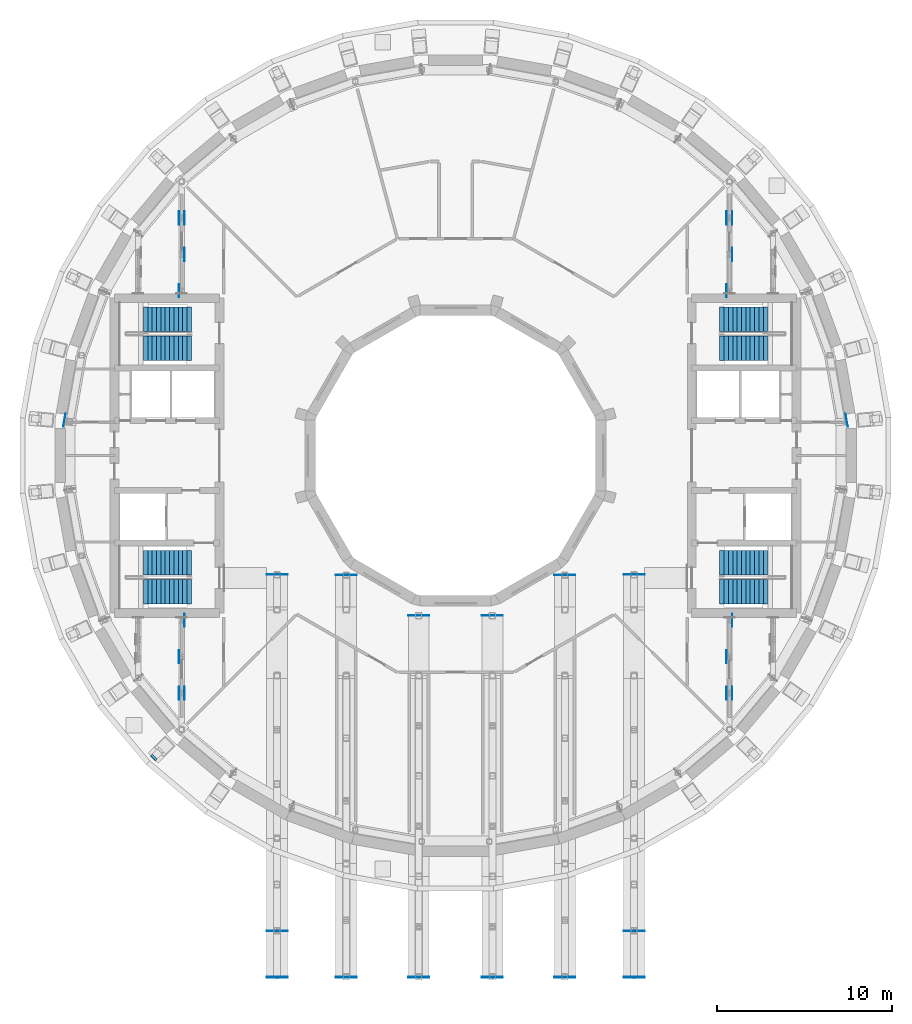
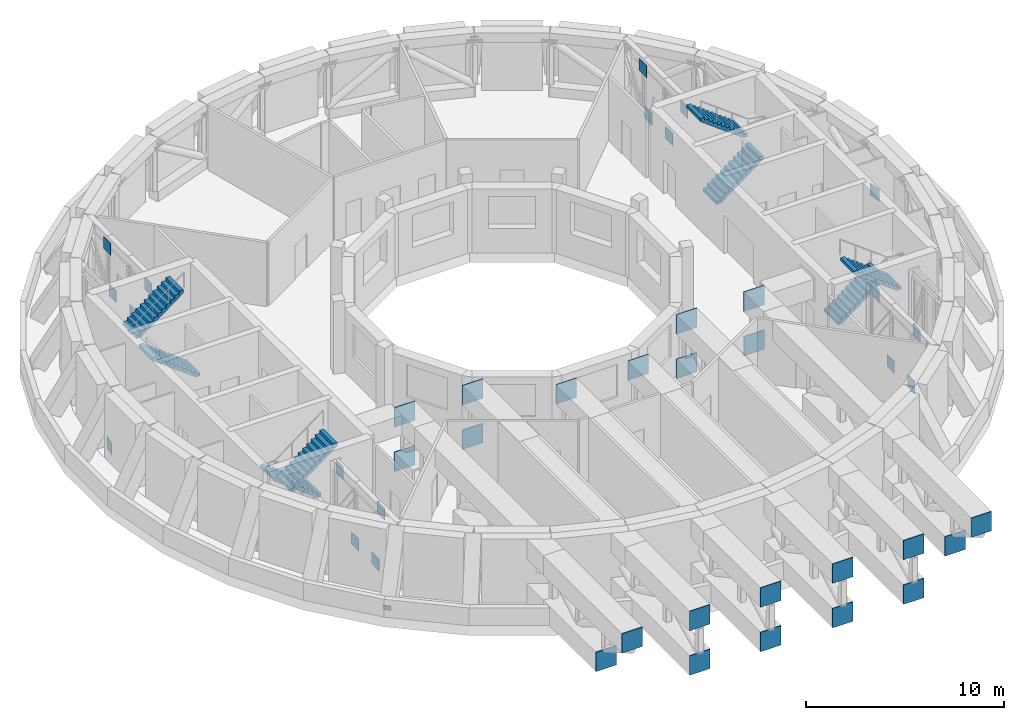
# One storey, part 16 of 20: 41 discrete accessories, 8 stair flights, 4 elements without a shape of their own.
"""IFC4 building model written with IfcOpenShell, lengths in metres."""

import ifcopenshell
import ifcopenshell.guid

model = None  # the IFC model being written
_history = None  # IfcOwnerHistory: only IFC2X3 demands one
_inside = {}  # id of a spatial element -> (the spatial element, [elements in it])
_under = {}  # id of a project, library or spatial element -> (it, [spatial elements below it])
_declared = {}  # id of a project -> (the project, [libraries it declares])
_typed = {}  # id of a type object -> (the type object, [elements of that type])
_made_of = {}  # id of a material, layer set ... -> (it, [elements and type objects made of it])


def new_model(schema):
    """Start an empty IFC model of exactly this schema.

    Asked for "IFC4X3", IfcOpenShell would pick the latest addendum, in which some entities
    have other attributes; the version numbers below select the first issue.
    IFC2X3 requires an IfcOwnerHistory on every rooted entity: one is made here for all.
    """
    global model, _history
    if schema == "IFC4X3":
        model = ifcopenshell.file(schema_version=(4, 3, 0, 0))
    else:
        model = ifcopenshell.file(schema=schema)
    _inside.clear()
    _under.clear()
    _declared.clear()
    _typed.clear()
    _made_of.clear()
    _history = None
    if model.schema == "IFC2X3":
        org = make("IfcOrganization", Name="unknown")
        user = make(
            "IfcPersonAndOrganization",
            ThePerson=make("IfcPerson", FamilyName="unknown"),
            TheOrganization=org,
        )
        app = make(
            "IfcApplication",
            ApplicationDeveloper=org,
            Version="unknown",
            ApplicationFullName="unknown",
            ApplicationIdentifier="unknown",
        )
        _history = make(
            "IfcOwnerHistory",
            OwningUser=user,
            OwningApplication=app,
            ChangeAction="ADDED",
            CreationDate=0,
        )
    return model


def make(cls, **values):
    """One entity of the class cls with the attributes given. An attribute that is None is left unset."""
    return model.create_entity(
        cls, **{name: value for name, value in values.items() if value is not None}
    )


def rooted(cls, **values):
    """An entity with a GlobalId (a new one), such as an element, a storey or a relation."""
    return make(cls, GlobalId=ifcopenshell.guid.new(), OwnerHistory=_history, **values)


def si_unit(unit_type, name, prefix=None):
    """IfcSIUnit, for example si_unit("LENGTHUNIT", "METRE", prefix="MILLI")."""
    return make("IfcSIUnit", UnitType=unit_type, Prefix=prefix, Name=name)


def assignment(units):
    """IfcUnitAssignment: the units of a project."""
    return None if units is None else make("IfcUnitAssignment", Units=units)


def point(xyz):
    """IfcCartesianPoint."""
    return None if xyz is None else make("IfcCartesianPoint", Coordinates=xyz)


def direction(xyz):
    """IfcDirection."""
    return None if xyz is None else make("IfcDirection", DirectionRatios=xyz)


def frame(location, z_axis=None, x_axis=None):
    """IfcAxis2Placement3D, a coordinate frame: its origin and axes. An axis left out is left unset."""
    return make(
        "IfcAxis2Placement3D",
        Location=point(location),
        Axis=direction(z_axis),
        RefDirection=direction(x_axis),
    )


def frame_2d(location, x_axis=None):
    """IfcAxis2Placement2D, a coordinate frame in the plane: its origin and x axis."""
    return make(
        "IfcAxis2Placement2D", Location=point(location), RefDirection=direction(x_axis)
    )


def origin():
    """The frame at (0, 0, 0) with its axes left unset."""
    return frame((0.0, 0.0, 0.0))


def origin_2d():
    """The frame at (0, 0) in the plane with its x axis left unset."""
    return frame_2d((0.0, 0.0))


def place(relative_to, where):
    """IfcLocalPlacement: puts the frame where relative to a parent placement (None: the world)."""
    return make(
        "IfcLocalPlacement", PlacementRelTo=relative_to, RelativePlacement=where
    )


def context(
    kind, dimensions, precision=None, world=None, true_north=None, identifier=None
):
    """IfcGeometricRepresentationContext, for example the 3D "Model" context."""
    return make(
        "IfcGeometricRepresentationContext",
        ContextIdentifier=identifier,
        ContextType=kind,
        CoordinateSpaceDimension=dimensions,
        Precision=precision,
        WorldCoordinateSystem=world,
        TrueNorth=true_north,
    )


def subcontext(parent, identifier, kind, view, scale=None):
    """IfcGeometricRepresentationSubContext, for example "Body" below "Model"."""
    return make(
        "IfcGeometricRepresentationSubContext",
        ContextIdentifier=identifier,
        ContextType=kind,
        ParentContext=parent,
        TargetScale=scale,
        TargetView=view,
    )


def project(units=None, contexts=None):
    """IfcProject with its units and contexts."""
    return rooted(
        "IfcProject",
        Name="project",
        RepresentationContexts=contexts,
        UnitsInContext=assignment(units),
    )


def spatial(cls, under=None, at=None, **own):
    """A site, building, storey or space (cls), placed at a placement, below another one or the project."""
    s = rooted(cls, ObjectPlacement=at, **own)
    if under is not None:
        _under.setdefault(under.id(), (under, []))[1].append(s)
    return s


def polyline(points):
    """IfcPolyline through the points."""
    return make("IfcPolyline", Points=[point(p) for p in points])


def profile(cls, at=None, kind="AREA", **sizes):
    """A parametric profile (cls). Its sizes go by their IFC names, for example OverallWidth=200.0."""
    return make(cls, ProfileType=kind, Position=at, **sizes)


def rectangle(**sizes):
    """IfcRectangleProfileDef."""
    return profile("IfcRectangleProfileDef", **sizes)


def outline(outer, holes=None, kind="AREA"):
    """IfcArbitraryClosedProfileDef: a profile drawn as a closed curve; with holes, ...WithVoids."""
    if holes is None:
        return make("IfcArbitraryClosedProfileDef", ProfileType=kind, OuterCurve=outer)
    return make(
        "IfcArbitraryProfileDefWithVoids",
        ProfileType=kind,
        OuterCurve=outer,
        InnerCurves=holes,
    )


def extrude(swept, where, along, depth):
    """IfcExtrudedAreaSolid: the profile swept, set in the frame where, extruded along a direction by depth."""
    return make(
        "IfcExtrudedAreaSolid",
        SweptArea=swept,
        Position=where,
        ExtrudedDirection=direction(along),
        Depth=depth,
    )


def shape(context_of_items, identifier, shape_type, items):
    """IfcShapeRepresentation: the items that make up one representation, for example the "Body"."""
    return make(
        "IfcShapeRepresentation",
        ContextOfItems=context_of_items,
        RepresentationIdentifier=identifier,
        RepresentationType=shape_type,
        Items=items,
    )


def material(Name=None, Category=None):
    """IfcMaterial."""
    return make("IfcMaterial", Name=Name, Category=Category)


def material_profile(
    of_material, cross_section, Name=None, Category=None, Priority=None
):
    """IfcMaterialProfile: a cross section and its material."""
    return make(
        "IfcMaterialProfile",
        Name=Name,
        Material=of_material,
        Profile=cross_section,
        Priority=Priority,
        Category=Category,
    )


def profile_set(profiles, Name=None, composite=None):
    """IfcMaterialProfileSet."""
    return make(
        "IfcMaterialProfileSet",
        Name=Name,
        MaterialProfiles=profiles,
        CompositeProfile=composite,
    )


def made_of(thing, what):
    """Note that an element or type object is made of a material, layer set ...; save() writes the relation."""
    if what is not None:
        _made_of.setdefault(what.id(), (what, []))[1].append(thing)
    return thing


def type_object(cls, material=None, **own):
    """A type object (cls), such as IfcWallType, which elements share."""
    return made_of(rooted(cls, **own), material)


def element(
    cls,
    number,
    at=None,
    inside=None,
    cuts=None,
    type_object=None,
    material=None,
    context=None,
    identifier="Body",
    shape_type=None,
    held_by="IfcProductDefinitionShape",
    body=None,
    shapes=None,
    **own,
):
    """One element of the class cls, such as IfcWall. Its Tag is "e" and its number.

    at: its placement. inside: the storey or other place that contains it. cuts: it is an
    opening in that element (IfcRelVoidsElement). A single representation is given by context,
    identifier, shape_type and body (its items); several are given by shapes. held_by: the class
    of the entity that holds the representations. save() writes the other relations.
    """
    e = rooted(cls, Tag="e%d" % number, ObjectPlacement=at, **own)
    if body is not None:
        shapes = [shape(context, identifier, shape_type, body)]
    if shapes is not None:
        e.Representation = make(held_by, Representations=shapes)
    if inside is not None:
        _inside.setdefault(inside.id(), (inside, []))[1].append(e)
    if cuts is not None:
        rooted(
            "IfcRelVoidsElement", RelatingBuildingElement=cuts, RelatedOpeningElement=e
        )
    if type_object is not None:
        _typed.setdefault(type_object.id(), (type_object, []))[1].append(e)
    return made_of(e, material)


def aggregate(whole, parts):
    """IfcRelAggregates: a whole, such as a stair, and the parts it consists of."""
    return rooted("IfcRelAggregates", RelatingObject=whole, RelatedObjects=parts)


def save(model, path):
    """Write the relations noted so far, then the file.

    IfcRelAggregates (storeys below a building ...), IfcRelContainedInSpatialStructure (elements
    in a storey), IfcRelDefinesByType, IfcRelAssociatesMaterial and IfcRelDeclares: one each for
    every whole, place, type object, material and project.
    """
    for whole, parts in _under.values():
        aggregate(whole, parts)
    for where, things in _inside.values():
        rooted(
            "IfcRelContainedInSpatialStructure",
            RelatedElements=things,
            RelatingStructure=where,
        )
    for kind, things in _typed.values():
        rooted("IfcRelDefinesByType", RelatedObjects=things, RelatingType=kind)
    for what, things in _made_of.values():
        rooted("IfcRelAssociatesMaterial", RelatedObjects=things, RelatingMaterial=what)
    for by, libraries in _declared.values():
        rooted("IfcRelDeclares", RelatingContext=by, RelatedDefinitions=libraries)
    model.write(path)


model = new_model("IFC4")

# Units and contexts
model_context = context("Model", 3, precision=1e-05, world=origin(), true_north=direction((0.0, 1.0)))
body_context = subcontext(model_context, "Body", "Model", "MODEL_VIEW")
ifc_project = project(units=[si_unit("LENGTHUNIT", "METRE"), si_unit("AREAUNIT", "SQUARE_METRE"), si_unit("VOLUMEUNIT", "CUBIC_METRE"), si_unit("PLANEANGLEUNIT", "RADIAN"), si_unit("MASSUNIT", "GRAM", prefix="KILO")], contexts=[model_context])

# Site, building, storey
site_placement = place(None, origin())
site = spatial("IfcSite", under=ifc_project, at=site_placement, CompositionType="ELEMENT")
building_placement = place(site_placement, origin())
building = spatial("IfcBuilding", under=site, at=building_placement, Name="Saqina Gate Tower", CompositionType="ELEMENT")
storey_placement = place(building_placement, frame((0.0, 0.0, 220.199951171875)))
storey = spatial("IfcBuildingStorey", under=building, at=storey_placement, Name="L63", CompositionType="ELEMENT", Elevation=220.199951171875)

# Stair, stair flights
ifc_material_1 = material(Name="Concrete C40/50", Category="concrete")
stair_type = type_object("IfcStairType", Name="EXIT STAIR", PredefinedType="HALF_TURN_STAIR", material=ifc_material_1)
stair_1_placement = place(storey_placement, origin())
stair_1 = element("IfcStair", 1, at=stair_1_placement, inside=storey, type_object=stair_type, Name="EXIT STAIR 1", PredefinedType="HALF_TURN_STAIR")
ifc_material_2 = material(Name="Concrete C40/50", Category="concrete")
stair_flight_type = type_object("IfcStairFlightType", Name="EXIT STAIR FLIGHT", PredefinedType="STRAIGHT", material=ifc_material_2)
stair_flight_1_placement = place(storey_placement, frame((15.10009765625, 6.13330078125, 0.0), z_axis=(0.0, 0.0, 1.0), x_axis=(1.0, 0.0, 0.0)))
stair_flight_1 = element("IfcStairFlight", 2, at=stair_flight_1_placement, type_object=stair_flight_type, Name="EXIT STAIR 1 FLIGHT 1", NumberOfRisers=12, NumberOfTreads=11, PredefinedType="STRAIGHT", RiserHeight=0.1875, TreadLength=0.25, context=body_context, shape_type="SweptSolid", body=[
    extrude(outline(polyline([(0.0, 0.0), (0.0, 0.1875), (0.25, 0.1875), (0.25, 0.375), (0.5, 0.375), (0.5, 0.5625), (0.75, 0.5625), (0.75, 0.75), (1.0, 0.75), (1.0, 0.9375), (1.25, 0.9375), (1.25, 1.125), (1.5, 1.125), (1.5, 1.3125), (1.75, 1.3125), (1.75, 1.5), (2.0, 1.5), (2.0, 1.6875), (2.25, 1.6875), (2.25, 1.875), (2.5, 1.875), (2.5, 2.0625), (2.75, 2.0625), (2.75, 2.25), (2.75, 1.875), (0.249755859375, 0.0), (0.0, 0.0)])), frame((0.0, 0.699951171875, 0.0), z_axis=(0.0, -1.0, 0.0), x_axis=(1.0, 0.0, 0.0)), (0.0, 0.0, 1.0), 1.39990234375),
])
stair_flight_2_placement = place(storey_placement, frame((17.85009765625, 7.791748046875, 2.25), z_axis=(0.0, 0.0, 1.0), x_axis=(-1.0, 0.0, 0.0)))
stair_flight_2 = element("IfcStairFlight", 3, at=stair_flight_2_placement, type_object=stair_flight_type, Name="EXIT STAIR 1 FLIGHT 2", NumberOfRisers=12, NumberOfTreads=11, PredefinedType="STRAIGHT", RiserHeight=0.1875, TreadLength=0.25, context=body_context, shape_type="SweptSolid", body=[
    extrude(outline(polyline([(0.0, 0.0), (0.0, 0.1875), (0.25, 0.1875), (0.25, 0.375), (0.5, 0.375), (0.5, 0.5625), (0.75, 0.5625), (0.75, 0.75), (1.0, 0.75), (1.0, 0.9375), (1.25, 0.9375), (1.25, 1.125), (1.5, 1.125), (1.5, 1.3125), (1.75, 1.3125), (1.75, 1.5), (2.0, 1.5), (2.0, 1.6875), (2.25, 1.6875), (2.25, 1.875), (2.5, 1.875), (2.5, 2.0625), (2.75, 2.0625), (2.75, 2.25), (2.75, 1.875), (0.249755859375, 0.0), (0.0, 0.0)])), frame((0.0, 0.699951171875, 0.0), z_axis=(0.0, -1.0, 0.0), x_axis=(1.0, 0.0, 0.0)), (0.0, 0.0, 1.0), 1.39990234375),
])
aggregate(stair_1, [stair_flight_1, stair_flight_2])

stair_2_placement = place(storey_placement, origin())
stair_2 = element("IfcStair", 4, at=stair_2_placement, inside=storey, type_object=stair_type, Name="EXIT STAIR 2", PredefinedType="HALF_TURN_STAIR")
stair_flight_3_placement = place(storey_placement, frame((15.10009765625, -6.13330078125, 0.0), z_axis=(0.0, 0.0, 1.0), x_axis=(1.0, 0.0, 0.0)))
stair_flight_3 = element("IfcStairFlight", 5, at=stair_flight_3_placement, type_object=stair_flight_type, Name="EXIT STAIR 2 FLIGHT 1", NumberOfRisers=12, NumberOfTreads=11, PredefinedType="STRAIGHT", RiserHeight=0.1875, TreadLength=0.25, context=body_context, shape_type="SweptSolid", body=[
    extrude(outline(polyline([(0.0, 0.0), (0.0, 0.1875), (0.25, 0.1875), (0.25, 0.375), (0.5, 0.375), (0.5, 0.5625), (0.75, 0.5625), (0.75, 0.75), (1.0, 0.75), (1.0, 0.9375), (1.25, 0.9375), (1.25, 1.125), (1.5, 1.125), (1.5, 1.3125), (1.75, 1.3125), (1.75, 1.5), (2.0, 1.5), (2.0, 1.6875), (2.25, 1.6875), (2.25, 1.875), (2.5, 1.875), (2.5, 2.0625), (2.75, 2.0625), (2.75, 2.25), (2.75, 1.875), (0.249755859375, 0.0), (0.0, 0.0)])), frame((0.0, 0.699951171875, 0.0), z_axis=(0.0, -1.0, 0.0), x_axis=(1.0, 0.0, 0.0)), (0.0, 0.0, 1.0), 1.39990234375),
])
stair_flight_4_placement = place(storey_placement, frame((17.85009765625, -7.791748046875, 2.25), z_axis=(0.0, 0.0, 1.0), x_axis=(-1.0, 0.0, 0.0)))
stair_flight_4 = element("IfcStairFlight", 6, at=stair_flight_4_placement, type_object=stair_flight_type, Name="EXIT STAIR 2 FLIGHT 2", NumberOfRisers=12, NumberOfTreads=11, PredefinedType="STRAIGHT", RiserHeight=0.1875, TreadLength=0.25, context=body_context, shape_type="SweptSolid", body=[
    extrude(outline(polyline([(0.0, 0.0), (0.0, 0.1875), (0.25, 0.1875), (0.25, 0.375), (0.5, 0.375), (0.5, 0.5625), (0.75, 0.5625), (0.75, 0.75), (1.0, 0.75), (1.0, 0.9375), (1.25, 0.9375), (1.25, 1.125), (1.5, 1.125), (1.5, 1.3125), (1.75, 1.3125), (1.75, 1.5), (2.0, 1.5), (2.0, 1.6875), (2.25, 1.6875), (2.25, 1.875), (2.5, 1.875), (2.5, 2.0625), (2.75, 2.0625), (2.75, 2.25), (2.75, 1.875), (0.249755859375, 0.0), (0.0, 0.0)])), frame((0.0, 0.699951171875, 0.0), z_axis=(0.0, -1.0, 0.0), x_axis=(1.0, 0.0, 0.0)), (0.0, 0.0, 1.0), 1.39990234375),
])
aggregate(stair_2, [stair_flight_3, stair_flight_4])

stair_3_placement = place(storey_placement, origin())
stair_3 = element("IfcStair", 7, at=stair_3_placement, inside=storey, type_object=stair_type, Name="EXIT STAIR 3", PredefinedType="HALF_TURN_STAIR")
stair_flight_5_placement = place(storey_placement, frame((-15.10009765625, 6.13330078125, 0.0), z_axis=(0.0, 0.0, 1.0), x_axis=(-1.0, 0.0, 0.0)))
stair_flight_5 = element("IfcStairFlight", 8, at=stair_flight_5_placement, type_object=stair_flight_type, Name="EXIT STAIR 3 FLIGHT 1", NumberOfRisers=12, NumberOfTreads=11, PredefinedType="STRAIGHT", RiserHeight=0.1875, TreadLength=0.25, context=body_context, shape_type="SweptSolid", body=[
    extrude(outline(polyline([(0.0, 0.0), (0.0, 0.1875), (0.25, 0.1875), (0.25, 0.375), (0.5, 0.375), (0.5, 0.5625), (0.75, 0.5625), (0.75, 0.75), (1.0, 0.75), (1.0, 0.9375), (1.25, 0.9375), (1.25, 1.125), (1.5, 1.125), (1.5, 1.3125), (1.75, 1.3125), (1.75, 1.5), (2.0, 1.5), (2.0, 1.6875), (2.25, 1.6875), (2.25, 1.875), (2.5, 1.875), (2.5, 2.0625), (2.75, 2.0625), (2.75, 2.25), (2.75, 1.875), (0.249755859375, 0.0), (0.0, 0.0)])), frame((0.0, 0.699951171875, 0.0), z_axis=(0.0, -1.0, 0.0), x_axis=(1.0, 0.0, 0.0)), (0.0, 0.0, 1.0), 1.39990234375),
])
stair_flight_6_placement = place(storey_placement, frame((-17.85009765625, 7.791748046875, 2.25), z_axis=(0.0, 0.0, 1.0), x_axis=(1.0, 0.0, 0.0)))
stair_flight_6 = element("IfcStairFlight", 9, at=stair_flight_6_placement, type_object=stair_flight_type, Name="EXIT STAIR 3 FLIGHT 2", NumberOfRisers=12, NumberOfTreads=11, PredefinedType="STRAIGHT", RiserHeight=0.1875, TreadLength=0.25, context=body_context, shape_type="SweptSolid", body=[
    extrude(outline(polyline([(0.0, 0.0), (0.0, 0.1875), (0.25, 0.1875), (0.25, 0.375), (0.5, 0.375), (0.5, 0.5625), (0.75, 0.5625), (0.75, 0.75), (1.0, 0.75), (1.0, 0.9375), (1.25, 0.9375), (1.25, 1.125), (1.5, 1.125), (1.5, 1.3125), (1.75, 1.3125), (1.75, 1.5), (2.0, 1.5), (2.0, 1.6875), (2.25, 1.6875), (2.25, 1.875), (2.5, 1.875), (2.5, 2.0625), (2.75, 2.0625), (2.75, 2.25), (2.75, 1.875), (0.249755859375, 0.0), (0.0, 0.0)])), frame((0.0, 0.699951171875, 0.0), z_axis=(0.0, -1.0, 0.0), x_axis=(1.0, 0.0, 0.0)), (0.0, 0.0, 1.0), 1.39990234375),
])
aggregate(stair_3, [stair_flight_5, stair_flight_6])

stair_4_placement = place(storey_placement, origin())
stair_4 = element("IfcStair", 10, at=stair_4_placement, inside=storey, type_object=stair_type, Name="EXIT STAIR 4", PredefinedType="HALF_TURN_STAIR")
stair_flight_7_placement = place(storey_placement, frame((-15.10009765625, -6.13330078125, 0.0), z_axis=(0.0, 0.0, 1.0), x_axis=(-1.0, 0.0, 0.0)))
stair_flight_7 = element("IfcStairFlight", 11, at=stair_flight_7_placement, type_object=stair_flight_type, Name="EXIT STAIR 4 FLIGHT 1", NumberOfRisers=12, NumberOfTreads=11, PredefinedType="STRAIGHT", RiserHeight=0.1875, TreadLength=0.25, context=body_context, shape_type="SweptSolid", body=[
    extrude(outline(polyline([(0.0, 0.0), (0.0, 0.1875), (0.25, 0.1875), (0.25, 0.375), (0.5, 0.375), (0.5, 0.5625), (0.75, 0.5625), (0.75, 0.75), (1.0, 0.75), (1.0, 0.9375), (1.25, 0.9375), (1.25, 1.125), (1.5, 1.125), (1.5, 1.3125), (1.75, 1.3125), (1.75, 1.5), (2.0, 1.5), (2.0, 1.6875), (2.25, 1.6875), (2.25, 1.875), (2.5, 1.875), (2.5, 2.0625), (2.75, 2.0625), (2.75, 2.25), (2.75, 1.875), (0.249755859375, 0.0), (0.0, 0.0)])), frame((0.0, 0.699951171875, 0.0), z_axis=(0.0, -1.0, 0.0), x_axis=(1.0, 0.0, 0.0)), (0.0, 0.0, 1.0), 1.39990234375),
])
stair_flight_8_placement = place(storey_placement, frame((-17.85009765625, -7.791748046875, 2.25), z_axis=(0.0, 0.0, 1.0), x_axis=(1.0, 0.0, 0.0)))
stair_flight_8 = element("IfcStairFlight", 12, at=stair_flight_8_placement, type_object=stair_flight_type, Name="EXIT STAIR 4 FLIGHT 2", NumberOfRisers=12, NumberOfTreads=11, PredefinedType="STRAIGHT", RiserHeight=0.1875, TreadLength=0.25, context=body_context, shape_type="SweptSolid", body=[
    extrude(outline(polyline([(0.0, 0.0), (0.0, 0.1875), (0.25, 0.1875), (0.25, 0.375), (0.5, 0.375), (0.5, 0.5625), (0.75, 0.5625), (0.75, 0.75), (1.0, 0.75), (1.0, 0.9375), (1.25, 0.9375), (1.25, 1.125), (1.5, 1.125), (1.5, 1.3125), (1.75, 1.3125), (1.75, 1.5), (2.0, 1.5), (2.0, 1.6875), (2.25, 1.6875), (2.25, 1.875), (2.5, 1.875), (2.5, 2.0625), (2.75, 2.0625), (2.75, 2.25), (2.75, 1.875), (0.249755859375, 0.0), (0.0, 0.0)])), frame((0.0, 0.699951171875, 0.0), z_axis=(0.0, -1.0, 0.0), x_axis=(1.0, 0.0, 0.0)), (0.0, 0.0, 1.0), 1.39990234375),
])
aggregate(stair_4, [stair_flight_7, stair_flight_8])

# Discrete accessories
ifc_material_3 = material(Name="Steel S460", Category="steel")
ifc_material_profile_1 = material_profile(ifc_material_3, rectangle(XDim=1.199951171875, YDim=1.199951171875, at=origin_2d()), Name="STR-END PLATE-BOX 1200x1200x100")
ifc_profile_set_1 = profile_set([ifc_material_profile_1], Name="Steel S460")
discrete_accessory_type_1 = type_object("IfcDiscreteAccessoryType", Name="STR-END PLATE-BOX 1200x1200x100", PredefinedType="USERDEFINED", material=ifc_profile_set_1)
for number, where, z_axis, x_axis, name in (
    (13, (-10.206298828125, -27.170654296875, 0.60009765625), (0.0, -1.0, 0.0), (-1.0, 0.0, 0.0), "END PLATE POOL CANTILEVER TRUSS END CHORD 200 START"),
    (14, (-10.206298828125, -29.8125, 3.35009765625), (0.0, -1.0, 0.0), (-1.0, 0.0, 0.0), "END PLATE POOL CANTILEVER TRUSS END CHORD 201 START"),
    (15, (-10.206298828125, -6.824951171875, 0.60009765625), (0.0, 1.0, 0.0), (-1.0, 0.0, 0.0), "END PLATE POOL CANTILEVER TRUSS END CHORD 204 END"),
    (16, (-10.206298828125, -6.824951171875, 3.35009765625), (0.0, 1.0, 0.0), (-1.0, 0.0, 0.0), "END PLATE POOL CANTILEVER TRUSS END CHORD 205 END"),
    (17, (10.206298828125, -27.170654296875, 0.60009765625), (0.0, -1.0, 0.0), (-1.0, 0.0, 0.0), "END PLATE POOL CANTILEVER TRUSS END CHORD 300 START"),
    (18, (10.206298828125, -29.8125, 3.35009765625), (0.0, -1.0, 0.0), (-1.0, 0.0, 0.0), "END PLATE POOL CANTILEVER TRUSS END CHORD 301 START"),
    (19, (10.206298828125, -6.824951171875, 0.60009765625), (0.0, 1.0, 0.0), (-1.0, 0.0, 0.0), "END PLATE POOL CANTILEVER TRUSS END CHORD 304 END"),
    (20, (10.206298828125, -6.824951171875, 3.35009765625), (0.0, 1.0, 0.0), (-1.0, 0.0, 0.0), "END PLATE POOL CANTILEVER TRUSS END CHORD 305 END"),
):
    element("IfcDiscreteAccessory", number, at=place(storey_placement, frame(where, z_axis=z_axis, x_axis=x_axis)), inside=storey, type_object=discrete_accessory_type_1, Name=name, ObjectType="END PLATE", PredefinedType="USERDEFINED", context=body_context, shape_type="SweptSolid", body=[
        extrude(rectangle(XDim=1.199951171875, YDim=1.199951171875, at=origin_2d()), origin(), (0.0, 0.0, 1.0), 0.0400390625),
    ])
ifc_material_4 = material(Name="Steel S460", Category="steel")
ifc_material_profile_2 = material_profile(ifc_material_4, rectangle(XDim=1.199951171875, YDim=1.199951171875, at=origin_2d()), Name="STR-END PLATE-BOX 1200x1200x80")
ifc_profile_set_2 = profile_set([ifc_material_profile_2], Name="Steel S460")
discrete_accessory_type_2 = type_object("IfcDiscreteAccessoryType", Name="STR-END PLATE-BOX 1200x1200x80", PredefinedType="USERDEFINED", material=ifc_profile_set_2)
for number, where, z_axis, x_axis, name in (
    (21, (-6.25048828125, -29.8125, 0.60009765625), (0.0, -1.0, 0.0), (-1.0, 0.0, 0.0), "END PLATE POOL CANTILEVER TRUSS CHORD 222 START"),
    (22, (-6.25048828125, -29.8125, 3.35009765625), (0.0, -1.0, 0.0), (-1.0, 0.0, 0.0), "END PLATE POOL CANTILEVER TRUSS CHORD 223 START"),
    (23, (-6.25048828125, -6.851806640625, 0.60009765625), (0.0, 1.0, 0.0), (-1.0, 0.0, 0.0), "END PLATE POOL CANTILEVER TRUSS CHORD 226 END"),
    (24, (-6.25048828125, -6.851806640625, 3.35009765625), (0.0, 1.0, 0.0), (-1.0, 0.0, 0.0), "END PLATE POOL CANTILEVER TRUSS CHORD 227 END"),
    (25, (-2.104736328125, -29.8125, 0.60009765625), (0.0, -1.0, 0.0), (-1.0, 0.0, 0.0), "END PLATE POOL CANTILEVER TRUSS CHORD 242 START"),
    (26, (-2.104736328125, -29.8125, 3.35009765625), (0.0, -1.0, 0.0), (-1.0, 0.0, 0.0), "END PLATE POOL CANTILEVER TRUSS CHORD 243 START"),
    (27, (-2.104736328125, -9.158447265625, 3.35009765625), (0.0, 1.0, 0.0), (-1.0, 0.0, 0.0), "END PLATE POOL CANTILEVER TRUSS CHORD 246 END"),
    (28, (2.104736328125, -29.8125, 0.60009765625), (0.0, -1.0, 0.0), (-1.0, 0.0, 0.0), "END PLATE POOL CANTILEVER TRUSS CHORD 261 START"),
    (29, (2.104736328125, -29.8125, 3.35009765625), (0.0, -1.0, 0.0), (-1.0, 0.0, 0.0), "END PLATE POOL CANTILEVER TRUSS CHORD 262 START"),
    (30, (2.104736328125, -9.158447265625, 3.35009765625), (0.0, 1.0, 0.0), (-1.0, 0.0, 0.0), "END PLATE POOL CANTILEVER TRUSS CHORD 265 END"),
    (31, (6.25048828125, -29.8125, 0.60009765625), (0.0, -1.0, 0.0), (-1.0, 0.0, 0.0), "END PLATE POOL CANTILEVER TRUSS CHORD 280 START"),
    (32, (6.25048828125, -29.8125, 3.35009765625), (0.0, -1.0, 0.0), (-1.0, 0.0, 0.0), "END PLATE POOL CANTILEVER TRUSS CHORD 281 START"),
    (33, (6.25048828125, -6.851806640625, 0.60009765625), (0.0, 1.0, 0.0), (-1.0, 0.0, 0.0), "END PLATE POOL CANTILEVER TRUSS CHORD 284 END"),
    (34, (6.25048828125, -6.851806640625, 3.35009765625), (0.0, 1.0, 0.0), (-1.0, 0.0, 0.0), "END PLATE POOL CANTILEVER TRUSS CHORD 285 END"),
):
    element("IfcDiscreteAccessory", number, at=place(storey_placement, frame(where, z_axis=z_axis, x_axis=x_axis)), inside=storey, type_object=discrete_accessory_type_2, Name=name, ObjectType="END PLATE", PredefinedType="USERDEFINED", context=body_context, shape_type="SweptSolid", body=[
        extrude(rectangle(XDim=1.199951171875, YDim=1.199951171875, at=origin_2d()), origin(), (0.0, 0.0, 1.0), 0.0400390625),
    ])
ifc_material_5 = material(Name="Steel S460", Category="steel")
ifc_material_profile_3 = material_profile(ifc_material_5, rectangle(XDim=0.39990234375, YDim=0.39990234375, at=origin_2d()), Name="STR-END PLATE-BOX 400x400x30")
ifc_profile_set_3 = profile_set([ifc_material_profile_3], Name="Steel S460")
discrete_accessory_type_3 = type_object("IfcDiscreteAccessoryType", Name="STR-END PLATE-BOX 400x400x30", PredefinedType="USERDEFINED", material=ifc_profile_set_3)
discrete_accessory_placement = place(storey_placement, frame((-17.25341796875, -17.25341796875, 0.1884765625), z_axis=(-0.666666666667, -0.666666666667, -0.333333333333), x_axis=(-0.707106781187, 0.707106781187, 0.0)))
element("IfcDiscreteAccessory", 35, at=discrete_accessory_placement, inside=storey, type_object=discrete_accessory_type_3, Name="END PLATE NODE TIE BEAM L63 23 FOOT START", ObjectType="END PLATE", PredefinedType="USERDEFINED", context=body_context, shape_type="SweptSolid", body=[
    extrude(rectangle(XDim=0.39990234375, YDim=0.39990234375, at=origin_2d()), origin(), (0.0, 0.0, 1.0), 0.030029296875),
])
ifc_material_6 = material(Name="Steel S460", Category="steel")
ifc_material_profile_4 = material_profile(ifc_material_6, rectangle(XDim=0.75, YDim=0.75, at=origin_2d()), Name="STR-END PLATE-GUSSET 750x750x20")
ifc_profile_set_4 = profile_set([ifc_material_profile_4], Name="Steel S460")
discrete_accessory_type_4 = type_object("IfcDiscreteAccessoryType", Name="STR-END PLATE-GUSSET 750x750x20", PredefinedType="USERDEFINED", material=ifc_profile_set_4)
for number, where, z_axis, x_axis, name in (
    (36, (22.356689453125, 2.008544921875, 0.300048828125), (0.985030467156, 0.172380331752, 0.0), (-0.172380331752, 0.985030467156, 0.0), "GUSSET PLATE BELT TRUSS L63 CHORD 001"),
    (37, (-22.356689453125, 2.008544921875, 0.300048828125), (-0.985030467156, 0.172380331752, 0.0), (-0.172380331752, -0.985030467156, 0.0), "GUSSET PLATE BELT TRUSS L63 CHORD 039"),
):
    element("IfcDiscreteAccessory", number, at=place(storey_placement, frame(where, z_axis=z_axis, x_axis=x_axis)), inside=storey, type_object=discrete_accessory_type_4, Name=name, ObjectType="GUSSET PLATE", PredefinedType="USERDEFINED", context=body_context, shape_type="SweptSolid", body=[
        extrude(rectangle(XDim=0.75, YDim=0.75, at=origin_2d()), origin(), (0.0, 0.0, 1.0), 0.019775390625),
    ])
for number, where, z_axis, x_axis, name in (
    (38, (15.8125, 11.49951171875, 0.300048828125), (1.0, 0.0, 0.0), (0.0, 1.0, 0.0), "GUSSET PLATE OUTRIGGER TRUSS L63 LONG CHORD 160"),
    (39, (15.8125, 13.5810546875, 0.300048828125), (1.0, 0.0, 0.0), (0.0, 1.0, 0.0), "GUSSET PLATE OUTRIGGER TRUSS L63 LONG CHORD 164"),
    (40, (15.512451171875, 9.41796875, 3.35009765625), (-1.0, 0.0, 0.0), (0.0, -1.0, 0.0), "GUSSET PLATE OUTRIGGER TRUSS L63 LONG POST 167"),
    (41, (15.512451171875, 13.5810546875, 3.35009765625), (-1.0, 0.0, 0.0), (0.0, -1.0, 0.0), "GUSSET PLATE OUTRIGGER TRUSS L63 LONG POST 169"),
    (42, (15.512451171875, -11.49951171875, 0.300048828125), (-1.0, 0.0, 0.0), (0.0, -1.0, 0.0), "GUSSET PLATE OUTRIGGER TRUSS L63 LONG CHORD 170"),
    (43, (15.512451171875, -13.5810546875, 0.300048828125), (-1.0, 0.0, 0.0), (0.0, -1.0, 0.0), "GUSSET PLATE OUTRIGGER TRUSS L63 LONG CHORD 174"),
    (44, (15.8125, -9.41796875, 3.35009765625), (1.0, 0.0, 0.0), (0.0, 1.0, 0.0), "GUSSET PLATE OUTRIGGER TRUSS L63 LONG POST 177"),
    (45, (15.8125, -13.5810546875, 3.35009765625), (1.0, 0.0, 0.0), (0.0, 1.0, 0.0), "GUSSET PLATE OUTRIGGER TRUSS L63 LONG POST 179"),
    (46, (-15.512451171875, 11.49951171875, 0.300048828125), (1.0, 0.0, 0.0), (0.0, 1.0, 0.0), "GUSSET PLATE OUTRIGGER TRUSS L63 LONG CHORD 180"),
    (47, (-15.512451171875, 13.5810546875, 0.300048828125), (1.0, 0.0, 0.0), (0.0, 1.0, 0.0), "GUSSET PLATE OUTRIGGER TRUSS L63 LONG CHORD 184"),
    (48, (-15.8125, 9.41796875, 3.35009765625), (-1.0, 0.0, 0.0), (0.0, -1.0, 0.0), "GUSSET PLATE OUTRIGGER TRUSS L63 LONG POST 187"),
    (49, (-15.8125, 13.5810546875, 3.35009765625), (-1.0, 0.0, 0.0), (0.0, -1.0, 0.0), "GUSSET PLATE OUTRIGGER TRUSS L63 LONG POST 189"),
    (50, (-15.8125, -11.49951171875, 0.300048828125), (-1.0, 0.0, 0.0), (0.0, -1.0, 0.0), "GUSSET PLATE OUTRIGGER TRUSS L63 LONG CHORD 190"),
    (51, (-15.8125, -13.5810546875, 0.300048828125), (-1.0, 0.0, 0.0), (0.0, -1.0, 0.0), "GUSSET PLATE OUTRIGGER TRUSS L63 LONG CHORD 194"),
    (52, (-15.512451171875, -9.41796875, 3.35009765625), (1.0, 0.0, 0.0), (0.0, 1.0, 0.0), "GUSSET PLATE OUTRIGGER TRUSS L63 LONG POST 197"),
    (53, (-15.512451171875, -13.5810546875, 3.35009765625), (1.0, 0.0, 0.0), (0.0, 1.0, 0.0), "GUSSET PLATE OUTRIGGER TRUSS L63 LONG POST 199"),
):
    element("IfcDiscreteAccessory", number, at=place(storey_placement, frame(where, z_axis=z_axis, x_axis=x_axis)), inside=storey, type_object=discrete_accessory_type_4, Name=name, ObjectType="GUSSET PLATE", PredefinedType="USERDEFINED", context=body_context, shape_type="SweptSolid", body=[
        extrude(rectangle(XDim=0.75, YDim=0.75, at=origin_2d()), origin(), (0.0, 0.0, 1.0), 0.02001953125),
    ])

save(model, "model.ifc")
